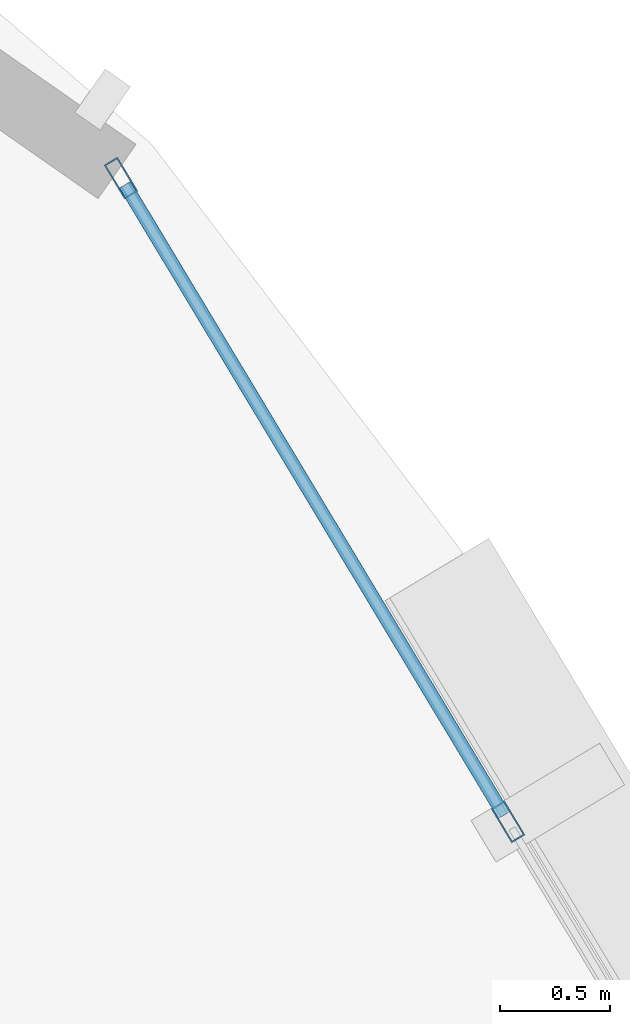
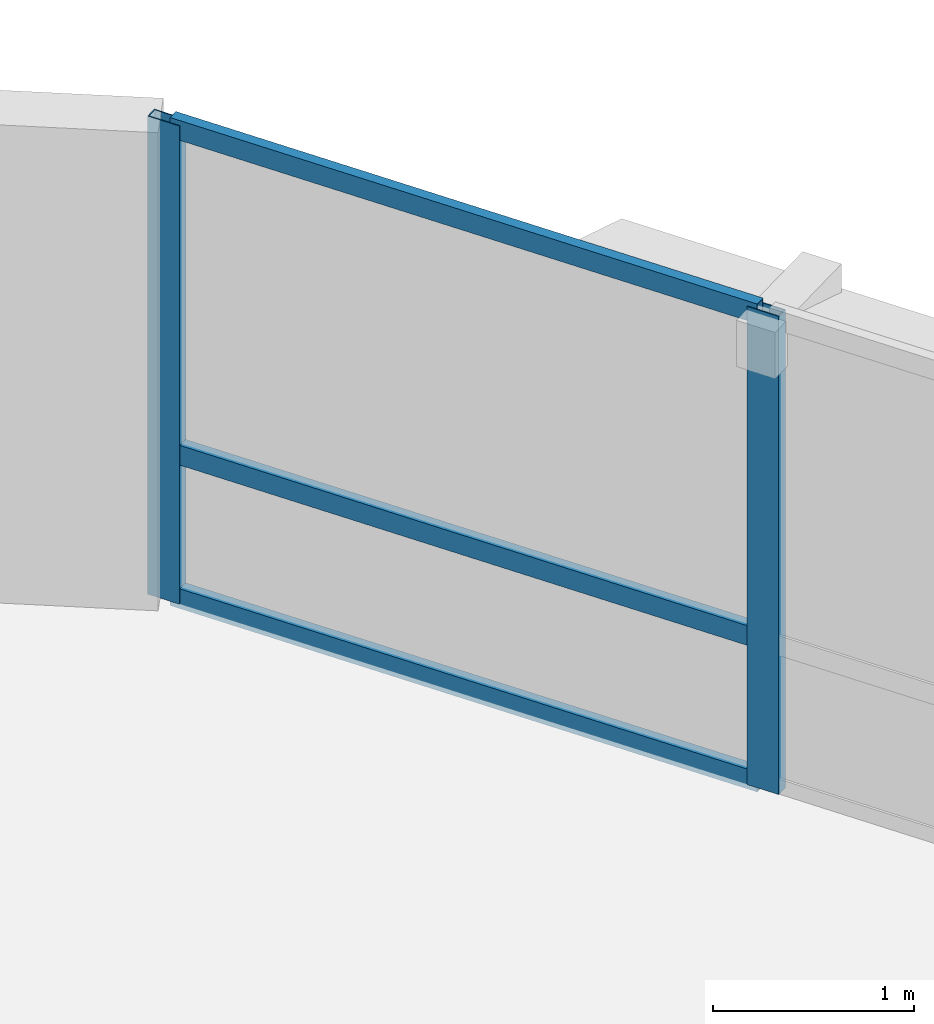
# One storey, part 8 of 15: 5 members, 1 element without a shape of its own.
"""IFC4 building model written with IfcOpenShell, lengths in metres."""

from ifc_helpers import new_model, si_unit, direction, frame, origin, origin_2d, place, context, subcontext, project, spatial, hollow_rectangle, extrude, material, layer, layer_set, material_profile, profile_set, type_object, element, aggregate, save


model = new_model("IFC4")

# Units and contexts
model_context = context("Model", 3, precision=1e-05, world=origin(), true_north=direction((0.0, 1.0)))
body_context = subcontext(model_context, "Body", "Model", "MODEL_VIEW")
ifc_project = project(units=[si_unit("LENGTHUNIT", "METRE"), si_unit("AREAUNIT", "SQUARE_METRE"), si_unit("VOLUMEUNIT", "CUBIC_METRE"), si_unit("PLANEANGLEUNIT", "RADIAN"), si_unit("MASSUNIT", "GRAM", prefix="KILO"), si_unit("THERMODYNAMICTEMPERATUREUNIT", "KELVIN"), si_unit("POWERUNIT", "WATT")], contexts=[model_context])

# Site, building, storey
site_placement = place(None, origin())
site = spatial("IfcSite", under=ifc_project, at=site_placement, CompositionType="ELEMENT")
building_placement = place(site_placement, origin())
building = spatial("IfcBuilding", under=site, at=building_placement, Name="Ocrelia Relay Tower", CompositionType="ELEMENT")
storey_placement = place(building_placement, frame((0.0, 0.0, 109.800048828125)))
storey = spatial("IfcBuildingStorey", under=building, at=storey_placement, Name="L25", CompositionType="ELEMENT", Elevation=109.800048828125)

# Curtain wall, members
ifc_material_1 = material(Name="Aluminium and solar-control low-E glass", Category="aluminium")
ifc_layer = layer(ifc_material_1, 0.179931640625, Name="Aluminium and solar-control low-E glass")
ifc_layer_set = layer_set([ifc_layer], Name="Aluminium and solar-control low-E glass")
curtain_wall_type = type_object("IfcCurtainWallType", Name="CW-SYS-Z2-SWIT", PredefinedType="NOTDEFINED", material=ifc_layer_set)
curtain_wall_placement = place(storey_placement, origin())
curtain_wall = element("IfcCurtainWall", 1, at=curtain_wall_placement, inside=storey, type_object=curtain_wall_type, Name="L25 Elliptical Tower Curtain Wall Bay 01", PredefinedType="NOTDEFINED")
ifc_material_2 = material(Name="Anodised bronze aluminium", Category="aluminium")
ifc_material_profile_1 = material_profile(ifc_material_2, hollow_rectangle(XDim=0.070068359375, YDim=0.179931640625, WallThickness=0.006103515625, at=origin_2d()), Name="CW-MUL-180x70")
ifc_profile_set_1 = profile_set([ifc_material_profile_1], Name="Anodised bronze aluminium")
member_type_1 = type_object("IfcMemberType", Name="CW-SYS-Z2-SWIT-MUL", PredefinedType="MULLION", material=ifc_profile_set_1)
member_1_placement = place(storey_placement, frame((56.567626953125, 36.879638671875, 0.0), z_axis=(0.0, 0.0, 1.0), x_axis=(-0.856997416901, -0.51532070347, 0.0)))
member_1 = element("IfcMember", 2, at=member_1_placement, type_object=member_type_1, Name="CW-Z2 mullion 2", PredefinedType="MULLION", context=body_context, shape_type="SweptSolid", body=[
    extrude(hollow_rectangle(XDim=0.070068359375, YDim=0.179931640625, WallThickness=0.006103515625, at=origin_2d()), origin(), (0.0, 0.0, 1.0), 2.89990234375),
])
member_2_placement = place(storey_placement, frame((54.813232421875, 39.79736328125, 0.0), z_axis=(0.0, 0.0, 1.0), x_axis=(-0.856997416901, -0.51532070347, 0.0)))
member_2 = element("IfcMember", 3, at=member_2_placement, type_object=member_type_1, Name="CW-Z2 mullion 3", PredefinedType="MULLION", context=body_context, shape_type="SweptSolid", body=[
    extrude(hollow_rectangle(XDim=0.070068359375, YDim=0.179931640625, WallThickness=0.006103515625, at=origin_2d()), origin(), (0.0, 0.0, 1.0), 2.89990234375),
])
ifc_material_profile_2 = material_profile(ifc_material_2, hollow_rectangle(XDim=0.06005859375, YDim=0.1201171875, WallThickness=0.0048828125, at=origin_2d()), Name="CW-TRN-120x60")
ifc_profile_set_2 = profile_set([ifc_material_profile_2], Name="Anodised bronze aluminium")
member_type_2 = type_object("IfcMemberType", Name="CW-SYS-Z2-SWIT-TRN", PredefinedType="USERDEFINED", material=ifc_profile_set_2)
member_3_placement = place(storey_placement, frame((56.549560546875, 36.90966796875, 0.030029296875), z_axis=(-0.515303070577, 0.857008019481, 0.0), x_axis=(-0.857008019481, -0.515303070577, 0.0)))
member_3 = element("IfcMember", 4, at=member_3_placement, type_object=member_type_2, Name="CW-Z2 transom 2.1", ObjectType="TRANSOM", PredefinedType="USERDEFINED", context=body_context, shape_type="SweptSolid", body=[
    extrude(hollow_rectangle(XDim=0.06005859375, YDim=0.1201171875, WallThickness=0.0048828125, at=origin_2d()), origin(), (0.0, 0.0, 1.0), 3.33447265625),
])
member_4_placement = place(storey_placement, frame((56.549560546875, 36.90966796875, 0.89990234375), z_axis=(-0.515303070577, 0.857008019481, 0.0), x_axis=(-0.857008019481, -0.515303070577, 0.0)))
member_4 = element("IfcMember", 5, at=member_4_placement, type_object=member_type_2, Name="CW-Z2 transom 2.2", ObjectType="TRANSOM", PredefinedType="USERDEFINED", context=body_context, shape_type="SweptSolid", body=[
    extrude(hollow_rectangle(XDim=0.06005859375, YDim=0.1201171875, WallThickness=0.0048828125, at=origin_2d()), origin(), (0.0, 0.0, 1.0), 3.33447265625),
])
member_5_placement = place(storey_placement, frame((56.549560546875, 36.90966796875, 2.869873046875), z_axis=(-0.515303070577, 0.857008019481, 0.0), x_axis=(-0.857008019481, -0.515303070577, 0.0)))
member_5 = element("IfcMember", 6, at=member_5_placement, type_object=member_type_2, Name="CW-Z2 transom 2.3", ObjectType="TRANSOM", PredefinedType="USERDEFINED", context=body_context, shape_type="SweptSolid", body=[
    extrude(hollow_rectangle(XDim=0.06005859375, YDim=0.1201171875, WallThickness=0.0048828125, at=origin_2d()), origin(), (0.0, 0.0, 1.0), 3.33447265625),
])
aggregate(curtain_wall, [member_1, member_2, member_3, member_4, member_5])

save(model, "model.ifc")
